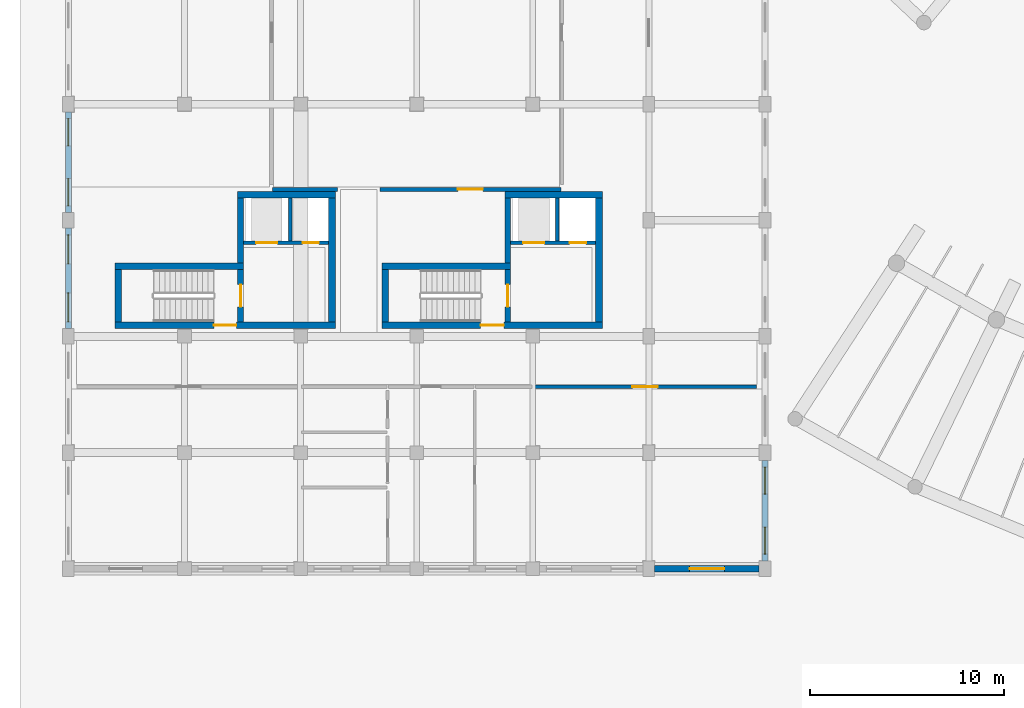
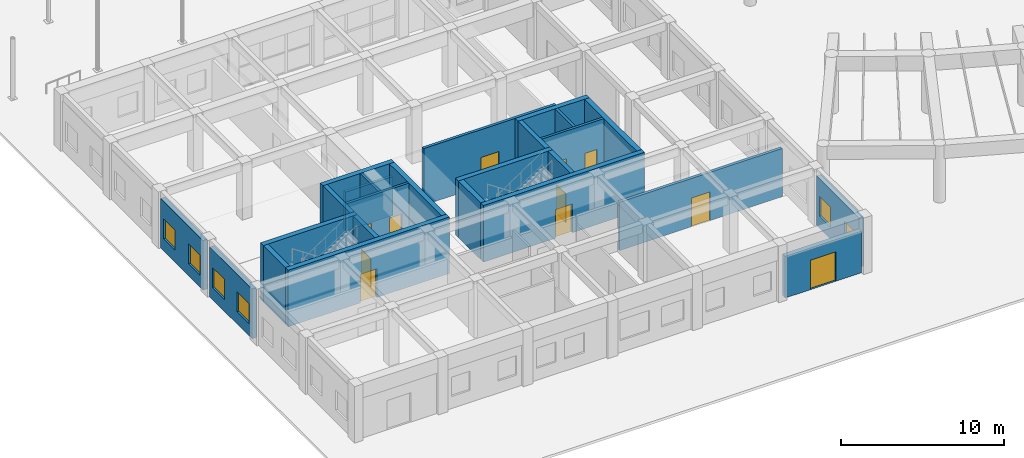
# One storey, part 48 of 76: 25 walls, 11 doors, 6 windows, 17 openings.
"""IFC4 building model written with IfcOpenShell, lengths in metres."""

from ifc_helpers import new_model, si_unit, direction, frame, frame_2d, origin, place, context, subcontext, project, spatial, rectangle, extrude, material, layer, layer_set, type_object, element, fill, save


model = new_model("IFC4")

# Units and contexts
model_context = context("Model", 3, precision=1e-05, world=origin(), true_north=direction((0.0, 1.0)))
body_context = subcontext(model_context, "Body", "Model", "MODEL_VIEW")
ifc_project = project(units=[si_unit("LENGTHUNIT", "METRE"), si_unit("AREAUNIT", "SQUARE_METRE"), si_unit("VOLUMEUNIT", "CUBIC_METRE"), si_unit("PLANEANGLEUNIT", "RADIAN"), si_unit("MASSUNIT", "GRAM", prefix="KILO"), si_unit("POWERUNIT", "WATT"), si_unit("THERMODYNAMICTEMPERATUREUNIT", "KELVIN")], contexts=[model_context])

# Site, building, storey
site_placement = place(None, origin())
site = spatial("IfcSite", under=ifc_project, at=site_placement, CompositionType="ELEMENT")
building_placement = place(site_placement, origin())
building = spatial("IfcBuilding", under=site, at=building_placement, Name="Ruvembo Vaulted Housing Court", CompositionType="ELEMENT")
storey_placement = place(building_placement, origin())
storey = spatial("IfcBuildingStorey", under=building, at=storey_placement, Name="L00", CompositionType="ELEMENT", Elevation=0.0)

# Wall, opening, door
ifc_material_1 = material(Name="Concrete C35/45", Category="concrete")
ifc_layer_1 = layer(ifc_material_1, 0.300048828125, Name="Concrete C35/45")
ifc_layer_set_1 = layer_set([ifc_layer_1], Name="Concrete C35/45")
wall_type_1 = type_object("IfcWallType", Name="WL-CORE-300", PredefinedType="SHEAR", material=ifc_layer_set_1)
wall_1_placement = place(storey_placement, frame((8.89990234375, 18.75, 0.0), z_axis=(0.0, 0.0, 1.0), x_axis=(0.0, 1.0, 0.0)))
wall_1 = element("IfcWall", 1, at=wall_1_placement, inside=storey, type_object=wall_type_1, Name="Core A1 L00 Stair-Lobby Shear Wall", PredefinedType="SHEAR", context=body_context, shape_type="SweptSolid", body=[
    extrude(rectangle(XDim=2.699951171875, YDim=0.300048828125, at=frame_2d((1.35009765625, 0.0))), origin(), (0.0, 0.0, 1.0), 4.22998046875),
])
opening_1_placement = place(wall_1_placement, frame((0.77490234375, 0.0, 0.0)))
opening_1 = element("IfcOpeningElement", 2, at=opening_1_placement, cuts=wall_1, Name="Opening SD1", PredefinedType="OPENING", context=body_context, shape_type="SweptSolid", body=[
    extrude(rectangle(XDim=1.14990234375, YDim=2.14990234375, at=frame_2d((0.574951171875, 1.074951171875))), frame((0.0, 0.159912109375, 0.0), z_axis=(0.0, -1.0, 0.0), x_axis=(1.0, 0.0, 0.0)), (0.0, 0.0, 1.0), 0.320068359375),
])
ifc_material_2 = material(Name="Galvanised Painted Steel", Category="steel")
door_type_1 = type_object("IfcDoorType", Name="DR-STAIR-1150x2150", OperationType="NOTDEFINED", PredefinedType="DOOR", material=ifc_material_2)
door_1_placement = place(opening_1_placement, origin())
door_1 = element("IfcDoor", 3, at=door_1_placement, inside=storey, type_object=door_type_1, Name="Stair ST-A1 L00 Fire Door", OperationType="SINGLE_SWING_LEFT", OverallHeight=2.14990234375, OverallWidth=1.14990234375, PredefinedType="DOOR", context=body_context, shape_type="SweptSolid", body=[
    extrude(rectangle(XDim=1.14990234375, YDim=2.14990234375, at=frame_2d((0.574951171875, 1.074951171875))), frame((0.0, 0.02490234375, 0.0), z_axis=(0.0, -1.0, 0.0), x_axis=(1.0, 0.0, 0.0)), (0.0, 0.0, 1.0), 0.050048828125),
])
fill(opening_1, door_1)

# Wall
wall_2_placement = place(storey_placement, frame((8.89990234375, 21.800048828125, 0.0), z_axis=(0.0, 0.0, 1.0), x_axis=(0.0, 1.0, 0.0)))
element("IfcWall", 4, at=wall_2_placement, inside=storey, type_object=wall_type_1, Name="Core A1 L00 Upper West Shear Wall", PredefinedType="SHEAR", context=body_context, shape_type="SweptSolid", body=[
    extrude(rectangle(XDim=3.349853515625, YDim=0.300048828125, at=frame_2d((1.6748046875, 0.0))), origin(), (0.0, 0.0, 1.0), 4.22998046875),
])

# Wall, opening, door
wall_3_placement = place(storey_placement, frame((22.699951171875, 18.75, 0.0), z_axis=(0.0, 0.0, 1.0), x_axis=(0.0, 1.0, 0.0)))
wall_3 = element("IfcWall", 5, at=wall_3_placement, inside=storey, type_object=wall_type_1, Name="Core A2 L00 Stair-Lobby Shear Wall", PredefinedType="SHEAR", context=body_context, shape_type="SweptSolid", body=[
    extrude(rectangle(XDim=2.699951171875, YDim=0.300048828125, at=frame_2d((1.35009765625, 0.0))), origin(), (0.0, 0.0, 1.0), 4.22998046875),
])
opening_2_placement = place(wall_3_placement, frame((0.77490234375, 0.0, 0.0)))
opening_2 = element("IfcOpeningElement", 6, at=opening_2_placement, cuts=wall_3, Name="Opening SD1", PredefinedType="OPENING", context=body_context, shape_type="SweptSolid", body=[
    extrude(rectangle(XDim=1.14990234375, YDim=2.14990234375, at=frame_2d((0.574951171875, 1.074951171875))), frame((0.0, 0.159912109375, 0.0), z_axis=(0.0, -1.0, 0.0), x_axis=(1.0, 0.0, 0.0)), (0.0, 0.0, 1.0), 0.320068359375),
])
door_2_placement = place(opening_2_placement, origin())
door_2 = element("IfcDoor", 7, at=door_2_placement, inside=storey, type_object=door_type_1, Name="Stair ST-A2 L00 Fire Door", OperationType="SINGLE_SWING_LEFT", OverallHeight=2.14990234375, OverallWidth=1.14990234375, PredefinedType="DOOR", context=body_context, shape_type="SweptSolid", body=[
    extrude(rectangle(XDim=1.14990234375, YDim=2.14990234375, at=frame_2d((0.574951171875, 1.074951171875))), frame((0.0, 0.02490234375, 0.0), z_axis=(0.0, -1.0, 0.0), x_axis=(1.0, 0.0, 0.0)), (0.0, 0.0, 1.0), 0.050048828125),
])
fill(opening_2, door_2)

# Wall
wall_4_placement = place(storey_placement, frame((22.699951171875, 21.800048828125, 0.0), z_axis=(0.0, 0.0, 1.0), x_axis=(0.0, 1.0, 0.0)))
element("IfcWall", 8, at=wall_4_placement, inside=storey, type_object=wall_type_1, Name="Core A2 L00 Upper West Shear Wall", PredefinedType="SHEAR", context=body_context, shape_type="SweptSolid", body=[
    extrude(rectangle(XDim=3.349853515625, YDim=0.300048828125, at=frame_2d((1.6748046875, 0.0))), origin(), (0.0, 0.0, 1.0), 4.22998046875),
])

# Wall, opening, door
ifc_layer_2 = layer(ifc_material_1, 0.35009765625, Name="Concrete C35/45")
ifc_layer_set_2 = layer_set([ifc_layer_2], Name="Concrete C35/45")
wall_type_2 = type_object("IfcWallType", Name="WL-CORE-350", PredefinedType="SHEAR", material=ifc_layer_set_2)
wall_5_placement = place(storey_placement, frame((2.39990234375, 18.574951171875, 0.0), z_axis=(0.0, 0.0, 1.0), x_axis=(1.0, 0.0, 0.0)))
wall_5 = element("IfcWall", 9, at=wall_5_placement, inside=storey, type_object=wall_type_2, Name="Core A1 L00 South Shear Wall", PredefinedType="SHEAR", context=body_context, shape_type="SweptSolid", body=[
    extrude(rectangle(XDim=11.400146484375, YDim=0.35009765625, at=frame_2d((5.7001953125, 0.0))), origin(), (0.0, 0.0, 1.0), 4.22998046875),
])
opening_3_placement = place(wall_5_placement, frame((5.125, 0.0, 0.0)))
opening_3 = element("IfcOpeningElement", 10, at=opening_3_placement, cuts=wall_5, Name="Opening LD0", PredefinedType="OPENING", context=body_context, shape_type="SweptSolid", body=[
    extrude(rectangle(XDim=1.14990234375, YDim=2.14990234375, at=frame_2d((0.574951171875, 1.074951171875))), frame((0.0, 0.18505859375, 0.0), z_axis=(0.0, -1.0, 0.0), x_axis=(1.0, 0.0, 0.0)), (0.0, 0.0, 1.0), 0.3701171875),
])
door_type_2 = type_object("IfcDoorType", Name="DR-LOB-1150x2150", OperationType="NOTDEFINED", PredefinedType="DOOR", material=ifc_material_2)
door_3_placement = place(opening_3_placement, origin())
door_3 = element("IfcDoor", 11, at=door_3_placement, inside=storey, type_object=door_type_2, Name="Core A1 L00 Lobby Fire Door", OperationType="SINGLE_SWING_RIGHT", OverallHeight=2.14990234375, OverallWidth=1.14990234375, PredefinedType="DOOR", context=body_context, shape_type="SweptSolid", body=[
    extrude(rectangle(XDim=1.14990234375, YDim=2.14990234375, at=frame_2d((0.574951171875, 1.074951171875))), frame((0.0, 0.02490234375, 0.0), z_axis=(0.0, -1.0, 0.0), x_axis=(1.0, 0.0, 0.0)), (0.0, 0.0, 1.0), 0.050048828125),
])
fill(opening_3, door_3)

# Walls
wall_6_placement = place(storey_placement, frame((9.050048828125, 21.625, 0.0), z_axis=(0.0, 0.0, 1.0), x_axis=(-1.0, 0.0, 0.0)))
element("IfcWall", 12, at=wall_6_placement, inside=storey, type_object=wall_type_2, Name="Core A1 L00 Stair North Shear Wall", PredefinedType="SHEAR", context=body_context, shape_type="SweptSolid", body=[
    extrude(rectangle(XDim=6.650146484375, YDim=0.35009765625, at=frame_2d((3.3251953125, 0.0))), origin(), (0.0, 0.0, 1.0), 4.22998046875),
])
wall_7_placement = place(storey_placement, frame((2.574951171875, 21.449951171875, 0.0), z_axis=(0.0, 0.0, 1.0), x_axis=(0.0, -1.0, 0.0)))
element("IfcWall", 13, at=wall_7_placement, inside=storey, type_object=wall_type_2, Name="Core A1 L00 Stair West Shear Wall", PredefinedType="SHEAR", context=body_context, shape_type="SweptSolid", body=[
    extrude(rectangle(XDim=2.699951171875, YDim=0.35009765625, at=frame_2d((1.35009765625, 0.0))), origin(), (0.0, 0.0, 1.0), 4.22998046875),
])
wall_8_placement = place(storey_placement, frame((13.800048828125, 25.324951171875, 0.0), z_axis=(0.0, 0.0, 1.0), x_axis=(-1.0, 0.0, 0.0)))
element("IfcWall", 14, at=wall_8_placement, inside=storey, type_object=wall_type_2, Name="Core A1 L00 North Shear Wall", PredefinedType="SHEAR", context=body_context, shape_type="SweptSolid", body=[
    extrude(rectangle(XDim=5.050048828125, YDim=0.35009765625, at=frame_2d((2.52490234375, 0.0))), origin(), (0.0, 0.0, 1.0), 4.22998046875),
])
wall_9_placement = place(storey_placement, frame((13.625, 18.75, 0.0), z_axis=(0.0, 0.0, 1.0), x_axis=(0.0, 1.0, 0.0)))
element("IfcWall", 15, at=wall_9_placement, inside=storey, type_object=wall_type_2, Name="Core A1 L00 East Shear Wall", PredefinedType="SHEAR", context=body_context, shape_type="SweptSolid", body=[
    extrude(rectangle(XDim=6.39990234375, YDim=0.35009765625, at=frame_2d((3.199951171875, 0.0))), origin(), (0.0, 0.0, 1.0), 4.22998046875),
])

# Wall, opening, door
wall_10_placement = place(storey_placement, frame((16.199951171875, 18.574951171875, 0.0), z_axis=(0.0, 0.0, 1.0), x_axis=(1.0, 0.0, 0.0)))
wall_10 = element("IfcWall", 16, at=wall_10_placement, inside=storey, type_object=wall_type_2, Name="Core A2 L00 South Shear Wall", PredefinedType="SHEAR", context=body_context, shape_type="SweptSolid", body=[
    extrude(rectangle(XDim=11.400146484375, YDim=0.35009765625, at=frame_2d((5.7001953125, 0.0))), origin(), (0.0, 0.0, 1.0), 4.22998046875),
])
opening_4_placement = place(wall_10_placement, frame((5.10009765625, 0.0, 0.0)))
opening_4 = element("IfcOpeningElement", 17, at=opening_4_placement, cuts=wall_10, Name="Opening LD3", PredefinedType="OPENING", context=body_context, shape_type="SweptSolid", body=[
    extrude(rectangle(XDim=1.199951171875, YDim=2.14990234375, at=frame_2d((0.60009765625, 1.074951171875))), frame((0.0, 0.18505859375, 0.0), z_axis=(0.0, -1.0, 0.0), x_axis=(1.0, 0.0, 0.0)), (0.0, 0.0, 1.0), 0.3701171875),
])
door_type_3 = type_object("IfcDoorType", Name="DR-LOB-1200x2150", OperationType="NOTDEFINED", PredefinedType="DOOR", material=ifc_material_2)
door_4_placement = place(opening_4_placement, origin())
door_4 = element("IfcDoor", 18, at=door_4_placement, inside=storey, type_object=door_type_3, Name="Core A2 L00 Lobby Fire Door", OperationType="SINGLE_SWING_RIGHT", OverallHeight=2.14990234375, OverallWidth=1.199951171875, PredefinedType="DOOR", context=body_context, shape_type="SweptSolid", body=[
    extrude(rectangle(XDim=1.199951171875, YDim=2.14990234375, at=frame_2d((0.60009765625, 1.074951171875))), frame((0.0, 0.02490234375, 0.0), z_axis=(0.0, -1.0, 0.0), x_axis=(1.0, 0.0, 0.0)), (0.0, 0.0, 1.0), 0.050048828125),
])
fill(opening_4, door_4)

# Walls
wall_11_placement = place(storey_placement, frame((22.85009765625, 21.625, 0.0), z_axis=(0.0, 0.0, 1.0), x_axis=(-1.0, 0.0, 0.0)))
element("IfcWall", 19, at=wall_11_placement, inside=storey, type_object=wall_type_2, Name="Core A2 L00 Stair North Shear Wall", PredefinedType="SHEAR", context=body_context, shape_type="SweptSolid", body=[
    extrude(rectangle(XDim=6.650146484375, YDim=0.35009765625, at=frame_2d((3.3251953125, 0.0))), origin(), (0.0, 0.0, 1.0), 4.22998046875),
])
wall_12_placement = place(storey_placement, frame((16.375, 21.449951171875, 0.0), z_axis=(0.0, 0.0, 1.0), x_axis=(0.0, -1.0, 0.0)))
element("IfcWall", 20, at=wall_12_placement, inside=storey, type_object=wall_type_2, Name="Core A2 L00 Stair West Shear Wall", PredefinedType="SHEAR", context=body_context, shape_type="SweptSolid", body=[
    extrude(rectangle(XDim=2.699951171875, YDim=0.35009765625, at=frame_2d((1.35009765625, 0.0))), origin(), (0.0, 0.0, 1.0), 4.22998046875),
])
wall_13_placement = place(storey_placement, frame((27.60009765625, 25.324951171875, 0.0), z_axis=(0.0, 0.0, 1.0), x_axis=(-1.0, 0.0, 0.0)))
element("IfcWall", 21, at=wall_13_placement, inside=storey, type_object=wall_type_2, Name="Core A2 L00 North Shear Wall", PredefinedType="SHEAR", context=body_context, shape_type="SweptSolid", body=[
    extrude(rectangle(XDim=5.050048828125, YDim=0.35009765625, at=frame_2d((2.52490234375, 0.0))), origin(), (0.0, 0.0, 1.0), 4.22998046875),
])
wall_14_placement = place(storey_placement, frame((27.425048828125, 18.75, 0.0), z_axis=(0.0, 0.0, 1.0), x_axis=(0.0, 1.0, 0.0)))
element("IfcWall", 22, at=wall_14_placement, inside=storey, type_object=wall_type_2, Name="Core A2 L00 East Shear Wall", PredefinedType="SHEAR", context=body_context, shape_type="SweptSolid", body=[
    extrude(rectangle(XDim=6.39990234375, YDim=0.35009765625, at=frame_2d((3.199951171875, 0.0))), origin(), (0.0, 0.0, 1.0), 4.22998046875),
])
ifc_material_3 = material(Name="Concrete Blockwork 200", Category="masonry")
ifc_layer_3 = layer(ifc_material_3, 0.199951171875, Name="Concrete Blockwork 200")
ifc_layer_set_3 = layer_set([ifc_layer_3], Name="Concrete Blockwork 200")
wall_type_3 = type_object("IfcWallType", Name="WL-CORR-200", PredefinedType="SOLIDWALL", material=ifc_layer_set_3)
wall_15_placement = place(storey_placement, frame((10.5400390625, 25.60009765625, 0.0), z_axis=(0.0, 0.0, 1.0), x_axis=(1.0, 0.0, 0.0)))
element("IfcWall", 23, at=wall_15_placement, inside=storey, type_object=wall_type_3, Name="L00 Lobby Wall W WL-INT-L00-00089", PredefinedType="SOLIDWALL", context=body_context, shape_type="SweptSolid", body=[
    extrude(rectangle(XDim=3.369873046875, YDim=0.199951171875, at=frame_2d((1.68505859375, 0.0))), origin(), (0.0, 0.0, 1.0), 2.912109375),
])

# Wall, opening, door
wall_16_placement = place(storey_placement, frame((16.090087890625, 25.60009765625, 0.0), z_axis=(0.0, 0.0, 1.0), x_axis=(1.0, 0.0, 0.0)))
wall_16 = element("IfcWall", 24, at=wall_16_placement, inside=storey, type_object=wall_type_3, Name="L00 Block A Lobby WL-INT-L00-00090", PredefinedType="SOLIDWALL", context=body_context, shape_type="SweptSolid", body=[
    extrude(rectangle(XDim=9.369873046875, YDim=0.199951171875, at=frame_2d((4.68505859375, 0.0))), origin(), (0.0, 0.0, 1.0), 4.22998046875),
])
opening_5_placement = place(wall_16_placement, frame((4.034912109375, 0.0, 0.0)))
opening_5 = element("IfcOpeningElement", 25, at=opening_5_placement, cuts=wall_16, Name="Opening CD2", PredefinedType="OPENING", context=body_context, shape_type="SweptSolid", body=[
    extrude(rectangle(XDim=1.300048828125, YDim=2.14990234375, at=frame_2d((0.64990234375, 1.074951171875))), frame((0.0, 0.10986328125, 0.0), z_axis=(0.0, -1.0, 0.0), x_axis=(1.0, 0.0, 0.0)), (0.0, 0.0, 1.0), 0.219970703125),
])
ifc_material_4 = material(Name="FSC Hardwood and Engineered Timber", Category="wood")
door_type_4 = type_object("IfcDoorType", Name="DR-CIVIC-1300x2150", OperationType="NOTDEFINED", PredefinedType="DOOR", material=ifc_material_4)
door_5_placement = place(opening_5_placement, origin())
door_5 = element("IfcDoor", 26, at=door_5_placement, inside=storey, type_object=door_type_4, Name="L00 Block A Lobby Door DR-INT-L00-00035", OperationType="SINGLE_SWING_LEFT", OverallHeight=2.14990234375, OverallWidth=1.300048828125, PredefinedType="DOOR", context=body_context, shape_type="SweptSolid", body=[
    extrude(rectangle(XDim=1.300048828125, YDim=2.14990234375, at=frame_2d((0.64990234375, 1.074951171875))), frame((0.0, 0.02490234375, 0.0), z_axis=(0.0, -1.0, 0.0), x_axis=(1.0, 0.0, 0.0)), (0.0, 0.0, 1.0), 0.050048828125),
])
fill(opening_5, door_5)

wall_17_placement = place(storey_placement, frame((24.0400390625, 15.39990234375, 0.0), z_axis=(0.0, 0.0, 1.0), x_axis=(1.0, 0.0, 0.0)))
wall_17 = element("IfcWall", 27, at=wall_17_placement, inside=storey, type_object=wall_type_3, Name="L00 East Vestibule WL-INT-L00-00106", PredefinedType="SOLIDWALL", context=body_context, shape_type="SweptSolid", body=[
    extrude(rectangle(XDim=11.52001953125, YDim=0.199951171875, at=frame_2d((5.760009765625, 0.0))), origin(), (0.0, 0.0, 1.0), 3.612060546875),
])
opening_6_placement = place(wall_17_placement, frame((5.110107421875, 0.0, 0.0)))
opening_6 = element("IfcOpeningElement", 28, at=opening_6_placement, cuts=wall_17, Name="Opening CD2", PredefinedType="OPENING", context=body_context, shape_type="SweptSolid", body=[
    extrude(rectangle(XDim=1.300048828125, YDim=2.14990234375, at=frame_2d((0.64990234375, 1.074951171875))), frame((0.0, 0.10986328125, 0.0), z_axis=(0.0, -1.0, 0.0), x_axis=(1.0, 0.0, 0.0)), (0.0, 0.0, 1.0), 0.219970703125),
])
door_6_placement = place(opening_6_placement, origin())
door_6 = element("IfcDoor", 29, at=door_6_placement, inside=storey, type_object=door_type_4, Name="L00 East Vestibule Door DR-INT-L00-00045", OperationType="SINGLE_SWING_LEFT", OverallHeight=2.14990234375, OverallWidth=1.300048828125, PredefinedType="DOOR", context=body_context, shape_type="SweptSolid", body=[
    extrude(rectangle(XDim=1.300048828125, YDim=2.14990234375, at=frame_2d((0.64990234375, 1.074951171875))), frame((0.0, 0.02490234375, 0.0), z_axis=(0.0, -1.0, 0.0), x_axis=(1.0, 0.0, 0.0)), (0.0, 0.0, 1.0), 0.050048828125),
])
fill(opening_6, door_6)

ifc_material_5 = material(Name="Rendered Masonry 320", Category="masonry")
ifc_layer_4 = layer(ifc_material_5, 0.320068359375, Name="Rendered Masonry 320")
ifc_layer_set_4 = layer_set([ifc_layer_4], Name="Rendered Masonry 320")
wall_type_4 = type_object("IfcWallType", Name="WL-EXT-320", PredefinedType="STANDARD", material=ifc_layer_set_4)
wall_18_placement = place(storey_placement, frame((30.300048828125, 6.0, 0.0), z_axis=(0.0, 0.0, 1.0), x_axis=(1.0, 0.0, 0.0)))
wall_18 = element("IfcWall", 30, at=wall_18_placement, inside=storey, type_object=wall_type_4, Name="Block A L00 Exterior Wall STREET #6", PredefinedType="STANDARD", context=body_context, shape_type="SweptSolid", body=[
    extrude(rectangle(XDim=5.39990234375, YDim=0.320068359375, at=frame_2d((2.699951171875, 0.0))), origin(), (0.0, 0.0, 1.0), 3.112060546875),
])
opening_7_placement = place(wall_18_placement, frame((1.800048828125, 0.0, 0.0)))
opening_7 = element("IfcOpeningElement", 31, at=opening_7_placement, cuts=wall_18, Name="Opening EX1", PredefinedType="OPENING", context=body_context, shape_type="SweptSolid", body=[
    extrude(rectangle(XDim=1.800048828125, YDim=2.199951171875, at=frame_2d((0.89990234375, 1.10009765625))), frame((0.0, 0.169921875, 0.0), z_axis=(0.0, -1.0, 0.0), x_axis=(1.0, 0.0, 0.0)), (0.0, 0.0, 1.0), 0.340087890625),
])
ifc_material_6 = material(Name="Thermally Broken Glazed Aluminium", Category="aluminium")
door_type_5 = type_object("IfcDoorType", Name="DR-EXIT-1800x2200", OperationType="NOTDEFINED", PredefinedType="DOOR", material=ifc_material_6)
door_7_placement = place(opening_7_placement, frame((1.800048828125, 0.0, 0.0), z_axis=(0.0, 0.0, 1.0), x_axis=(-1.0, 0.0, 0.0)))
door_7 = element("IfcDoor", 32, at=door_7_placement, inside=storey, type_object=door_type_5, Name="Block A Final Exit Door DR-EXIT-A-002", OperationType="DOUBLE_DOOR_SINGLE_SWING", OverallHeight=2.199951171875, OverallWidth=1.800048828125, PredefinedType="DOOR", context=body_context, shape_type="SweptSolid", body=[
    extrude(rectangle(XDim=1.800048828125, YDim=2.199951171875, at=frame_2d((0.89990234375, 1.10009765625))), frame((0.0, 0.02490234375, 0.0), z_axis=(0.0, -1.0, 0.0), x_axis=(1.0, 0.0, 0.0)), (0.0, 0.0, 1.0), 0.050048828125),
])
fill(opening_7, door_7)

# Wall, openings, windows
wall_19_placement = place(storey_placement, frame((36.0, 6.39990234375, 0.0), z_axis=(0.0, 0.0, 1.0), x_axis=(0.0, 1.0, 0.0)))
wall_19 = element("IfcWall", 33, at=wall_19_placement, inside=storey, type_object=wall_type_4, Name="Block A L00 Exterior Wall EAST #1", PredefinedType="STANDARD", context=body_context, shape_type="SweptSolid", body=[
    extrude(rectangle(XDim=5.2001953125, YDim=0.320068359375, at=frame_2d((2.60009765625, 0.0))), origin(), (0.0, 0.0, 1.0), 3.7119140625),
])
opening_8_placement = place(wall_19_placement, frame((0.35009765625, 0.0, 0.89990234375)))
opening_8 = element("IfcOpeningElement", 34, at=opening_8_placement, cuts=wall_19, Name="Opening W17", PredefinedType="OPENING", context=body_context, shape_type="SweptSolid", body=[
    extrude(rectangle(XDim=1.39990234375, YDim=1.5, at=frame_2d((0.699951171875, 0.75))), frame((0.0, 0.169921875, 0.0), z_axis=(0.0, -1.0, 0.0), x_axis=(1.0, 0.0, 0.0)), (0.0, 0.0, 1.0), 0.340087890625),
])
opening_9_placement = place(wall_19_placement, frame((3.449951171875, 0.0, 0.89990234375)))
opening_9 = element("IfcOpeningElement", 35, at=opening_9_placement, cuts=wall_19, Name="Opening W17", PredefinedType="OPENING", context=body_context, shape_type="SweptSolid", body=[
    extrude(rectangle(XDim=1.39990234375, YDim=1.5, at=frame_2d((0.699951171875, 0.75))), frame((0.0, 0.169921875, 0.0), z_axis=(0.0, -1.0, 0.0), x_axis=(1.0, 0.0, 0.0)), (0.0, 0.0, 1.0), 0.340087890625),
])
ifc_material_7 = material(Name="Double Solar-Control Glazing in Aluminium Frame", Category="aluminium")
window_type_1 = type_object("IfcWindowType", Name="WIN-1400x1500", PartitioningType="SINGLE_PANEL", PredefinedType="WINDOW", material=ifc_material_7)
window_1_placement = place(opening_8_placement, origin())
window_1 = element("IfcWindow", 36, at=window_1_placement, inside=storey, type_object=window_type_1, Name="Block A L00 Window #9", OverallHeight=1.5, OverallWidth=1.39990234375, PartitioningType="SINGLE_PANEL", PredefinedType="WINDOW", context=body_context, shape_type="SweptSolid", body=[
    extrude(rectangle(XDim=1.39990234375, YDim=1.5, at=frame_2d((0.699951171875, 0.75))), frame((0.0, 0.030029296875, 0.0), z_axis=(0.0, -1.0, 0.0), x_axis=(1.0, 0.0, 0.0)), (0.0, 0.0, 1.0), 0.06005859375),
])
fill(opening_8, window_1)
window_2_placement = place(opening_9_placement, origin())
window_2 = element("IfcWindow", 37, at=window_2_placement, inside=storey, type_object=window_type_1, Name="Block A L00 Window #10", OverallHeight=1.5, OverallWidth=1.39990234375, PartitioningType="SINGLE_PANEL", PredefinedType="WINDOW", context=body_context, shape_type="SweptSolid", body=[
    extrude(rectangle(XDim=1.39990234375, YDim=1.5, at=frame_2d((0.699951171875, 0.75))), frame((0.0, 0.030029296875, 0.0), z_axis=(0.0, -1.0, 0.0), x_axis=(1.0, 0.0, 0.0)), (0.0, 0.0, 1.0), 0.06005859375),
])
fill(opening_9, window_2)

wall_20_placement = place(storey_placement, frame((0.0, 29.60009765625, 0.0), z_axis=(0.0, 0.0, 1.0), x_axis=(0.0, -1.0, 0.0)))
wall_20 = element("IfcWall", 38, at=wall_20_placement, inside=storey, type_object=wall_type_4, Name="Block A L00 Exterior Wall WEST #3", PredefinedType="STANDARD", context=body_context, shape_type="SweptSolid", body=[
    extrude(rectangle(XDim=5.2001953125, YDim=0.320068359375, at=frame_2d((2.60009765625, 0.0))), origin(), (0.0, 0.0, 1.0), 3.7119140625),
])
opening_10_placement = place(wall_20_placement, frame((0.35009765625, 0.0, 0.89990234375)))
opening_10 = element("IfcOpeningElement", 39, at=opening_10_placement, cuts=wall_20, Name="Opening W17", PredefinedType="OPENING", context=body_context, shape_type="SweptSolid", body=[
    extrude(rectangle(XDim=1.39990234375, YDim=1.5, at=frame_2d((0.699951171875, 0.75))), frame((0.0, 0.169921875, 0.0), z_axis=(0.0, -1.0, 0.0), x_axis=(1.0, 0.0, 0.0)), (0.0, 0.0, 1.0), 0.340087890625),
])
opening_11_placement = place(wall_20_placement, frame((3.449951171875, 0.0, 0.89990234375)))
opening_11 = element("IfcOpeningElement", 40, at=opening_11_placement, cuts=wall_20, Name="Opening W17", PredefinedType="OPENING", context=body_context, shape_type="SweptSolid", body=[
    extrude(rectangle(XDim=1.39990234375, YDim=1.5, at=frame_2d((0.699951171875, 0.75))), frame((0.0, 0.169921875, 0.0), z_axis=(0.0, -1.0, 0.0), x_axis=(1.0, 0.0, 0.0)), (0.0, 0.0, 1.0), 0.340087890625),
])
window_3_placement = place(opening_10_placement, origin())
window_3 = element("IfcWindow", 41, at=window_3_placement, inside=storey, type_object=window_type_1, Name="Block A L00 Window #33", OverallHeight=1.5, OverallWidth=1.39990234375, PartitioningType="SINGLE_PANEL", PredefinedType="WINDOW", context=body_context, shape_type="SweptSolid", body=[
    extrude(rectangle(XDim=1.39990234375, YDim=1.5, at=frame_2d((0.699951171875, 0.75))), frame((0.0, 0.030029296875, 0.0), z_axis=(0.0, -1.0, 0.0), x_axis=(1.0, 0.0, 0.0)), (0.0, 0.0, 1.0), 0.06005859375),
])
fill(opening_10, window_3)
window_4_placement = place(opening_11_placement, origin())
window_4 = element("IfcWindow", 42, at=window_4_placement, inside=storey, type_object=window_type_1, Name="Block A L00 Window #34", OverallHeight=1.5, OverallWidth=1.39990234375, PartitioningType="SINGLE_PANEL", PredefinedType="WINDOW", context=body_context, shape_type="SweptSolid", body=[
    extrude(rectangle(XDim=1.39990234375, YDim=1.5, at=frame_2d((0.699951171875, 0.75))), frame((0.0, 0.030029296875, 0.0), z_axis=(0.0, -1.0, 0.0), x_axis=(1.0, 0.0, 0.0)), (0.0, 0.0, 1.0), 0.06005859375),
])
fill(opening_11, window_4)

wall_21_placement = place(storey_placement, frame((0.0, 23.60009765625, 0.0), z_axis=(0.0, 0.0, 1.0), x_axis=(0.0, -1.0, 0.0)))
wall_21 = element("IfcWall", 43, at=wall_21_placement, inside=storey, type_object=wall_type_4, Name="Block A L00 Exterior Wall WEST #4", PredefinedType="STANDARD", context=body_context, shape_type="SweptSolid", body=[
    extrude(rectangle(XDim=5.2001953125, YDim=0.320068359375, at=frame_2d((2.60009765625, 0.0))), origin(), (0.0, 0.0, 1.0), 3.7119140625),
])
opening_12_placement = place(wall_21_placement, frame((0.35009765625, 0.0, 0.89990234375)))
opening_12 = element("IfcOpeningElement", 44, at=opening_12_placement, cuts=wall_21, Name="Opening W19", PredefinedType="OPENING", context=body_context, shape_type="SweptSolid", body=[
    extrude(rectangle(XDim=1.5, YDim=1.5, at=frame_2d((0.75, 0.75))), frame((0.0, 0.169921875, 0.0), z_axis=(0.0, -1.0, 0.0), x_axis=(1.0, 0.0, 0.0)), (0.0, 0.0, 1.0), 0.340087890625),
])
opening_13_placement = place(wall_21_placement, frame((3.35009765625, 0.0, 0.89990234375)))
opening_13 = element("IfcOpeningElement", 45, at=opening_13_placement, cuts=wall_21, Name="Opening W19", PredefinedType="OPENING", context=body_context, shape_type="SweptSolid", body=[
    extrude(rectangle(XDim=1.5, YDim=1.5, at=frame_2d((0.75, 0.75))), frame((0.0, 0.169921875, 0.0), z_axis=(0.0, -1.0, 0.0), x_axis=(1.0, 0.0, 0.0)), (0.0, 0.0, 1.0), 0.340087890625),
])
window_type_2 = type_object("IfcWindowType", Name="WIN-1500x1500", PartitioningType="SINGLE_PANEL", PredefinedType="WINDOW", material=ifc_material_7)
window_5_placement = place(opening_12_placement, origin())
window_5 = element("IfcWindow", 46, at=window_5_placement, inside=storey, type_object=window_type_2, Name="Block A L00 Window #35", OverallHeight=1.5, OverallWidth=1.5, PartitioningType="SINGLE_PANEL", PredefinedType="WINDOW", context=body_context, shape_type="SweptSolid", body=[
    extrude(rectangle(XDim=1.5, YDim=1.5, at=frame_2d((0.75, 0.75))), frame((0.0, 0.030029296875, 0.0), z_axis=(0.0, -1.0, 0.0), x_axis=(1.0, 0.0, 0.0)), (0.0, 0.0, 1.0), 0.06005859375),
])
fill(opening_12, window_5)
window_6_placement = place(opening_13_placement, origin())
window_6 = element("IfcWindow", 47, at=window_6_placement, inside=storey, type_object=window_type_2, Name="Block A L00 Window #36", OverallHeight=1.5, OverallWidth=1.5, PartitioningType="SINGLE_PANEL", PredefinedType="WINDOW", context=body_context, shape_type="SweptSolid", body=[
    extrude(rectangle(XDim=1.5, YDim=1.5, at=frame_2d((0.75, 0.75))), frame((0.0, 0.030029296875, 0.0), z_axis=(0.0, -1.0, 0.0), x_axis=(1.0, 0.0, 0.0)), (0.0, 0.0, 1.0), 0.06005859375),
])
fill(opening_13, window_6)

# Wall, openings, doors
ifc_material_8 = material(Name="Fire-Rated Masonry Shaft 180", Category="masonry")
ifc_layer_5 = layer(ifc_material_8, 0.179931640625, Name="Fire-Rated Masonry Shaft 180")
ifc_layer_set_5 = layer_set([ifc_layer_5], Name="Fire-Rated Masonry Shaft 180")
wall_type_5 = type_object("IfcWallType", Name="WL-SHAFT-180", PredefinedType="SOLIDWALL", material=ifc_layer_set_5)
wall_22_placement = place(storey_placement, frame((9.050048828125, 22.85009765625, 0.0), z_axis=(0.0, 0.0, 1.0), x_axis=(1.0, 0.0, 0.0)))
wall_22 = element("IfcWall", 48, at=wall_22_placement, inside=storey, type_object=wall_type_5, Name="Core A1 L00 Lift and Riser Front Wall", PredefinedType="SOLIDWALL", context=body_context, shape_type="SweptSolid", body=[
    extrude(rectangle(XDim=4.39990234375, YDim=0.179931640625, at=frame_2d((2.199951171875, 0.0))), origin(), (0.0, 0.0, 1.0), 4.22998046875),
])
opening_14_placement = place(wall_22_placement, frame((0.64990234375, 0.0, 0.0)))
opening_14 = element("IfcOpeningElement", 49, at=opening_14_placement, cuts=wall_22, Name="Opening LD-FL-A1-L00", PredefinedType="OPENING", context=body_context, shape_type="SweptSolid", body=[
    extrude(rectangle(XDim=1.10009765625, YDim=2.14990234375, at=frame_2d((0.550048828125, 1.074951171875))), frame((0.0, 0.099853515625, 0.0), z_axis=(0.0, -1.0, 0.0), x_axis=(1.0, 0.0, 0.0)), (0.0, 0.0, 1.0), 0.199951171875),
])
opening_15_placement = place(wall_22_placement, frame((3.050048828125, 0.0, 0.0)))
opening_15 = element("IfcOpeningElement", 50, at=opening_15_placement, cuts=wall_22, Name="Opening RD1", PredefinedType="OPENING", context=body_context, shape_type="SweptSolid", body=[
    extrude(rectangle(XDim=0.85009765625, YDim=2.10009765625, at=frame_2d((0.425048828125, 1.050048828125))), frame((0.0, 0.099853515625, 0.0), z_axis=(0.0, -1.0, 0.0), x_axis=(1.0, 0.0, 0.0)), (0.0, 0.0, 1.0), 0.199951171875),
])
ifc_material_9 = material(Name="Brushed Stainless Steel 304", Category="steel")
door_type_6 = type_object("IfcDoorType", Name="DR-LIFT-1100x2150", OperationType="NOTDEFINED", PredefinedType="DOOR", material=ifc_material_9)
door_8_placement = place(opening_14_placement, origin())
door_8 = element("IfcDoor", 51, at=door_8_placement, inside=storey, type_object=door_type_6, Name="Lift FL-A1 L00 Sliding Landing Door", OperationType="SLIDING_TO_LEFT", OverallHeight=2.14990234375, OverallWidth=1.10009765625, PredefinedType="DOOR", context=body_context, shape_type="SweptSolid", body=[
    extrude(rectangle(XDim=1.10009765625, YDim=2.14990234375, at=frame_2d((0.550048828125, 1.074951171875))), frame((0.0, 0.02490234375, 0.0), z_axis=(0.0, -1.0, 0.0), x_axis=(1.0, 0.0, 0.0)), (0.0, 0.0, 1.0), 0.050048828125),
])
fill(opening_14, door_8)
door_type_7 = type_object("IfcDoorType", Name="DR-RISER-0850x2100", OperationType="NOTDEFINED", PredefinedType="DOOR", material=ifc_material_2)
door_9_placement = place(opening_15_placement, frame((0.85009765625, 0.0, 0.0), z_axis=(0.0, 0.0, 1.0), x_axis=(-1.0, 0.0, 0.0)))
door_9 = element("IfcDoor", 52, at=door_9_placement, inside=storey, type_object=door_type_7, Name="Core A1 L00 Service Riser Door", OperationType="SINGLE_SWING_RIGHT", OverallHeight=2.10009765625, OverallWidth=0.85009765625, PredefinedType="DOOR", context=body_context, shape_type="SweptSolid", body=[
    extrude(rectangle(XDim=0.85009765625, YDim=2.10009765625, at=frame_2d((0.425048828125, 1.050048828125))), frame((0.0, 0.02490234375, 0.0), z_axis=(0.0, -1.0, 0.0), x_axis=(1.0, 0.0, 0.0)), (0.0, 0.0, 1.0), 0.050048828125),
])
fill(opening_15, door_9)

# Wall
wall_23_placement = place(storey_placement, frame((11.469970703125, 22.93994140625, 0.0), z_axis=(0.0, 0.0, 1.0), x_axis=(0.0, 1.0, 0.0)))
element("IfcWall", 53, at=wall_23_placement, inside=storey, type_object=wall_type_5, Name="Core A1 L00 Shaft-Riser Divider Wall", PredefinedType="SOLIDWALL", context=body_context, shape_type="SweptSolid", body=[
    extrude(rectangle(XDim=2.2099609375, YDim=0.179931640625, at=frame_2d((1.10498046875, 0.0))), origin(), (0.0, 0.0, 1.0), 4.22998046875),
])

# Wall, openings, doors
wall_24_placement = place(storey_placement, frame((22.85009765625, 22.85009765625, 0.0), z_axis=(0.0, 0.0, 1.0), x_axis=(1.0, 0.0, 0.0)))
wall_24 = element("IfcWall", 54, at=wall_24_placement, inside=storey, type_object=wall_type_5, Name="Core A2 L00 Lift and Riser Front Wall", PredefinedType="SOLIDWALL", context=body_context, shape_type="SweptSolid", body=[
    extrude(rectangle(XDim=4.39990234375, YDim=0.179931640625, at=frame_2d((2.199951171875, 0.0))), origin(), (0.0, 0.0, 1.0), 4.22998046875),
])
opening_16_placement = place(wall_24_placement, frame((0.64990234375, 0.0, 0.0)))
opening_16 = element("IfcOpeningElement", 55, at=opening_16_placement, cuts=wall_24, Name="Opening LD-FL-A2-L00", PredefinedType="OPENING", context=body_context, shape_type="SweptSolid", body=[
    extrude(rectangle(XDim=1.10009765625, YDim=2.14990234375, at=frame_2d((0.550048828125, 1.074951171875))), frame((0.0, 0.099853515625, 0.0), z_axis=(0.0, -1.0, 0.0), x_axis=(1.0, 0.0, 0.0)), (0.0, 0.0, 1.0), 0.199951171875),
])
opening_17_placement = place(wall_24_placement, frame((3.050048828125, 0.0, 0.0)))
opening_17 = element("IfcOpeningElement", 56, at=opening_17_placement, cuts=wall_24, Name="Opening RD1", PredefinedType="OPENING", context=body_context, shape_type="SweptSolid", body=[
    extrude(rectangle(XDim=0.85009765625, YDim=2.10009765625, at=frame_2d((0.425048828125, 1.050048828125))), frame((0.0, 0.099853515625, 0.0), z_axis=(0.0, -1.0, 0.0), x_axis=(1.0, 0.0, 0.0)), (0.0, 0.0, 1.0), 0.199951171875),
])
door_10_placement = place(opening_16_placement, origin())
door_10 = element("IfcDoor", 57, at=door_10_placement, inside=storey, type_object=door_type_6, Name="Lift FL-A2 L00 Sliding Landing Door", OperationType="SLIDING_TO_LEFT", OverallHeight=2.14990234375, OverallWidth=1.10009765625, PredefinedType="DOOR", context=body_context, shape_type="SweptSolid", body=[
    extrude(rectangle(XDim=1.10009765625, YDim=2.14990234375, at=frame_2d((0.550048828125, 1.074951171875))), frame((0.0, 0.02490234375, 0.0), z_axis=(0.0, -1.0, 0.0), x_axis=(1.0, 0.0, 0.0)), (0.0, 0.0, 1.0), 0.050048828125),
])
fill(opening_16, door_10)
door_11_placement = place(opening_17_placement, frame((0.85009765625, 0.0, 0.0), z_axis=(0.0, 0.0, 1.0), x_axis=(-1.0, 0.0, 0.0)))
door_11 = element("IfcDoor", 58, at=door_11_placement, inside=storey, type_object=door_type_7, Name="Core A2 L00 Service Riser Door", OperationType="SINGLE_SWING_RIGHT", OverallHeight=2.10009765625, OverallWidth=0.85009765625, PredefinedType="DOOR", context=body_context, shape_type="SweptSolid", body=[
    extrude(rectangle(XDim=0.85009765625, YDim=2.10009765625, at=frame_2d((0.425048828125, 1.050048828125))), frame((0.0, 0.02490234375, 0.0), z_axis=(0.0, -1.0, 0.0), x_axis=(1.0, 0.0, 0.0)), (0.0, 0.0, 1.0), 0.050048828125),
])
fill(opening_17, door_11)

# Wall
wall_25_placement = place(storey_placement, frame((25.27001953125, 22.93994140625, 0.0), z_axis=(0.0, 0.0, 1.0), x_axis=(0.0, 1.0, 0.0)))
element("IfcWall", 59, at=wall_25_placement, inside=storey, type_object=wall_type_5, Name="Core A2 L00 Shaft-Riser Divider Wall", PredefinedType="SOLIDWALL", context=body_context, shape_type="SweptSolid", body=[
    extrude(rectangle(XDim=2.2099609375, YDim=0.179931640625, at=frame_2d((1.10498046875, 0.0))), origin(), (0.0, 0.0, 1.0), 4.22998046875),
])

save(model, "model.ifc")
